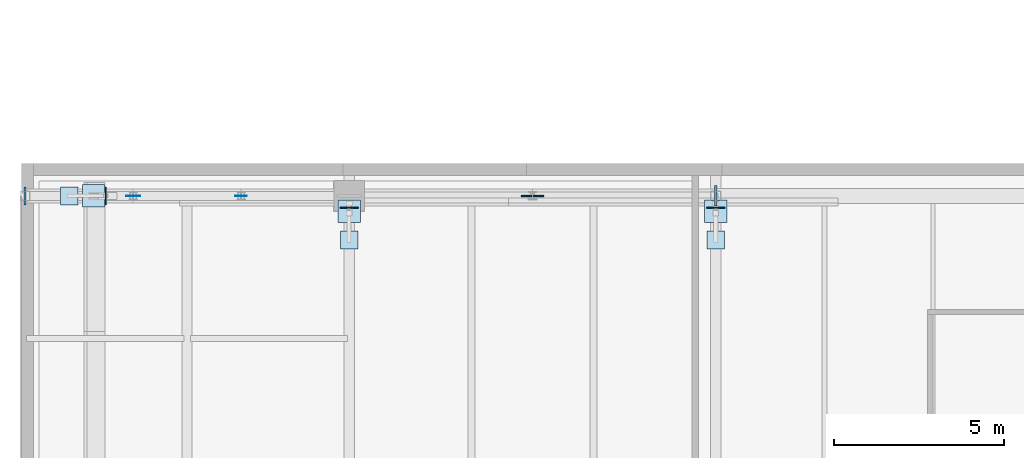
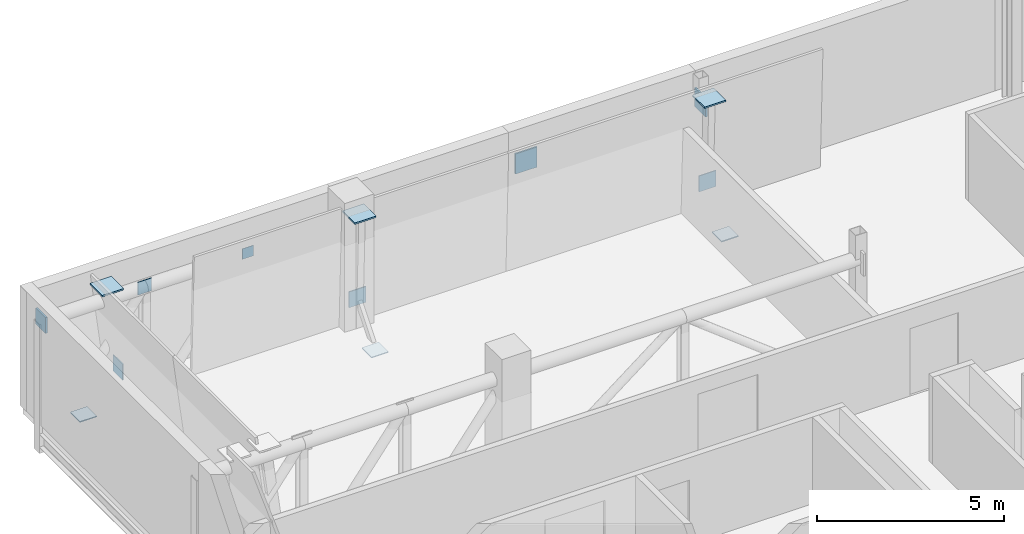
# One storey, part 67 of 89: 14 plates.
"""IFC4 building model written with IfcOpenShell, lengths in metres."""

from ifc_helpers import new_model, si_unit, direction, frame, origin, origin_2d, place, context, subcontext, project, spatial, rectangle, extrude, material, layer, layer_set, type_object, element, save


model = new_model("IFC4")

# Units and contexts
model_context = context("Model", 3, precision=1e-05, world=origin(), true_north=direction((0.0, 1.0)))
body_context = subcontext(model_context, "Body", "Model", "MODEL_VIEW")
ifc_project = project(units=[si_unit("LENGTHUNIT", "METRE"), si_unit("AREAUNIT", "SQUARE_METRE"), si_unit("VOLUMEUNIT", "CUBIC_METRE"), si_unit("PLANEANGLEUNIT", "RADIAN"), si_unit("MASSUNIT", "GRAM", prefix="KILO")], contexts=[model_context])

# Site, building, storey
site_placement = place(None, origin())
site = spatial("IfcSite", under=ifc_project, at=site_placement, CompositionType="ELEMENT")
building_placement = place(site_placement, origin())
building = spatial("IfcBuilding", under=site, at=building_placement, Name="Zereglee Splitstone Museum", CompositionType="ELEMENT")
storey_placement = place(building_placement, frame((0.0, 0.0, 21.300048828125)))
storey = spatial("IfcBuildingStorey", under=building, at=storey_placement, Name="L04", CompositionType="ELEMENT", Elevation=21.300048828125)

# Plates
ifc_material = material(Name="Steel S355J2", Category="steel")
ifc_layer_1 = layer(ifc_material, 0.011962890625)
ifc_layer_set_1 = layer_set([ifc_layer_1], Name="Steel S355J2")
plate_type_1 = type_object("IfcPlateType", Name="NP-06", PredefinedType="SHEET", material=ifc_layer_set_1)
plate_1_placement = place(storey_placement, frame((6.416748046875, 30.0, 3.1298828125), z_axis=(0.0, 0.0, 1.0), x_axis=(1.0, 0.0, 0.0)))
element("IfcPlate", 1, at=plate_1_placement, inside=storey, type_object=plate_type_1, Name="Cantilever Truss Node Plate CN-04", PredefinedType="SHEET", context=body_context, shape_type="SweptSolid", body=[
    extrude(rectangle(XDim=0.340087890625, YDim=0.011962890625, at=origin_2d()), origin(), (0.0, 0.0, 1.0), 0.340087890625),
])
ifc_layer_2 = layer(ifc_material, 0.02001953125)
ifc_layer_set_2 = layer_set([ifc_layer_2], Name="Steel S355J2")
plate_type_2 = type_object("IfcPlateType", Name="NP-05", PredefinedType="SHEET", material=ifc_layer_set_2)
plate_2_placement = place(storey_placement, frame((3.2333984375, 30.0, 3.090087890625), z_axis=(0.0, 0.0, 1.0), x_axis=(1.0, 0.0, 0.0)))
element("IfcPlate", 2, at=plate_2_placement, inside=storey, type_object=plate_type_2, Name="Cantilever Truss Node Plate CN-04", PredefinedType="SHEET", context=body_context, shape_type="SweptSolid", body=[
    extrude(rectangle(XDim=0.419921875, YDim=0.02001953125, at=origin_2d()), origin(), (0.0, 0.0, 1.0), 0.419921875),
])
ifc_layer_3 = layer(ifc_material, 0.030029296875)
ifc_layer_set_3 = layer_set([ifc_layer_3], Name="Steel S355J2")
plate_type_3 = type_object("IfcPlateType", Name="NP-04", PredefinedType="SHEET", material=ifc_layer_set_3)
plate_3_placement = place(storey_placement, frame((0.050048828125, 30.0, 3.0400390625), z_axis=(0.0, 0.0, 1.0), x_axis=(1.0, 0.0, 0.0)))
element("IfcPlate", 3, at=plate_3_placement, inside=storey, type_object=plate_type_3, Name="Cantilever Truss Node Plate CN-04", PredefinedType="SHEET", context=body_context, shape_type="SweptSolid", body=[
    extrude(rectangle(XDim=0.06005859375, YDim=0.52001953125, at=origin_2d()), origin(), (0.0, 0.0, 1.0), 0.52001953125),
])
plate_4_placement = place(storey_placement, frame((1.35009765625, 30.0, -0.23486328125), z_axis=(0.0, 0.0, 1.0), x_axis=(1.0, 0.0, 0.0)))
element("IfcPlate", 4, at=plate_4_placement, inside=storey, type_object=plate_type_3, Name="Facet Tie Seal Plate FH-V1W-N", PredefinedType="SHEET", context=body_context, shape_type="SweptSolid", body=[
    extrude(rectangle(XDim=0.52001953125, YDim=0.52001953125, at=origin_2d()), origin(), (0.0, 0.0, 1.0), 0.030029296875),
])
plate_5_placement = place(storey_placement, frame((2.423095703125, 30.0, 0.679931640625), z_axis=(0.0, 0.0, 1.0), x_axis=(1.0, 0.0, 0.0)))
element("IfcPlate", 5, at=plate_5_placement, inside=storey, type_object=plate_type_3, Name="Facet Tie Seal Plate FH-V1W-N", PredefinedType="SHEET", context=body_context, shape_type="SweptSolid", body=[
    extrude(rectangle(XDim=0.030029296875, YDim=0.52001953125, at=origin_2d()), origin(), (0.0, 0.0, 1.0), 0.52001953125),
])
plate_6_placement = place(storey_placement, frame((9.60009765625, 28.699951171875, -0.23486328125), z_axis=(0.0, 0.0, 1.0), x_axis=(1.0, 0.0, 0.0)))
element("IfcPlate", 6, at=plate_6_placement, inside=storey, type_object=plate_type_3, Name="Facet Tie Seal Plate FH-V1N-W", PredefinedType="SHEET", context=body_context, shape_type="SweptSolid", body=[
    extrude(rectangle(XDim=0.52001953125, YDim=0.52001953125, at=origin_2d()), origin(), (0.0, 0.0, 1.0), 0.030029296875),
])
plate_7_placement = place(storey_placement, frame((9.60009765625, 29.65380859375, 0.679931640625), z_axis=(0.0, 0.0, 1.0), x_axis=(1.0, 0.0, 0.0)))
element("IfcPlate", 7, at=plate_7_placement, inside=storey, type_object=plate_type_3, Name="Facet Tie Seal Plate FH-V1N-W", PredefinedType="SHEET", context=body_context, shape_type="SweptSolid", body=[
    extrude(rectangle(XDim=0.52001953125, YDim=0.030029296875, at=origin_2d()), origin(), (0.0, 0.0, 1.0), 0.52001953125),
])
plate_8_placement = place(storey_placement, frame((20.39990234375, 28.699951171875, -0.23486328125), z_axis=(0.0, 0.0, 1.0), x_axis=(1.0, 0.0, 0.0)))
element("IfcPlate", 8, at=plate_8_placement, inside=storey, type_object=plate_type_3, Name="Facet Tie Seal Plate FH-V1N-W", PredefinedType="SHEET", context=body_context, shape_type="SweptSolid", body=[
    extrude(rectangle(XDim=0.52001953125, YDim=0.52001953125, at=origin_2d()), origin(), (0.0, 0.0, 1.0), 0.030029296875),
])
plate_9_placement = place(storey_placement, frame((20.39990234375, 29.65380859375, 0.679931640625), z_axis=(0.0, 0.0, 1.0), x_axis=(1.0, 0.0, 0.0)))
element("IfcPlate", 9, at=plate_9_placement, inside=storey, type_object=plate_type_3, Name="Facet Tie Seal Plate FH-V1N-W", PredefinedType="SHEET", context=body_context, shape_type="SweptSolid", body=[
    extrude(rectangle(XDim=0.52001953125, YDim=0.030029296875, at=origin_2d()), origin(), (0.0, 0.0, 1.0), 0.52001953125),
])
ifc_layer_4 = layer(ifc_material, 0.0400390625)
ifc_layer_set_4 = layer_set([ifc_layer_4], Name="Steel S355J2")
plate_type_4 = type_object("IfcPlateType", Name="NP-03", PredefinedType="SHEET", material=ifc_layer_set_4)
plate_10_placement = place(storey_placement, frame((20.39990234375, 30.0, 3.0), z_axis=(0.0, 0.0, 1.0), x_axis=(1.0, 0.0, 0.0)))
element("IfcPlate", 10, at=plate_10_placement, inside=storey, type_object=plate_type_4, Name="Cantilever Truss Node Plate CN-04", PredefinedType="SHEET", context=body_context, shape_type="SweptSolid", body=[
    extrude(rectangle(XDim=0.06005859375, YDim=0.60009765625, at=origin_2d()), origin(), (0.0, 0.0, 1.0), 0.60009765625),
])
ifc_layer_5 = layer(ifc_material, 0.050048828125)
ifc_layer_set_5 = layer_set([ifc_layer_5], Name="Steel S355J2")
plate_type_5 = type_object("IfcPlateType", Name="NP-02", PredefinedType="SHEET", material=ifc_layer_set_5)
plate_11_placement = place(storey_placement, frame((15.0, 30.0, 2.97021484375), z_axis=(0.0, 0.0, 1.0), x_axis=(1.0, 0.0, 0.0)))
element("IfcPlate", 11, at=plate_11_placement, inside=storey, type_object=plate_type_5, Name="Cantilever Truss Node Plate CN-04", PredefinedType="SHEET", context=body_context, shape_type="SweptSolid", body=[
    extrude(rectangle(XDim=0.659912109375, YDim=0.050048828125, at=origin_2d()), origin(), (0.0, 0.0, 1.0), 0.659912109375),
])
for number, where, z_axis, x_axis, name in (
    (12, (2.06591796875, 30.0, 3.6748046875), (0.0, 0.0, 1.0), (1.0, 0.0, 0.0), "Facet Strut Seal Plate FH-V1W-N"),
    (13, (9.60009765625, 29.55126953125, 3.6748046875), (0.0, 0.0, 1.0), (1.0, 0.0, 0.0), "Facet Strut Seal Plate FH-V1N-W"),
    (14, (20.39990234375, 29.55126953125, 3.6748046875), (0.0, 0.0, 1.0), (1.0, 0.0, 0.0), "Facet Strut Seal Plate FH-V1N-W"),
):
    element("IfcPlate", number, at=place(storey_placement, frame(where, z_axis=z_axis, x_axis=x_axis)), inside=storey, type_object=plate_type_5, Name=name, PredefinedType="SHEET", context=body_context, shape_type="SweptSolid", body=[
        extrude(rectangle(XDim=0.659912109375, YDim=0.659912109375, at=origin_2d()), origin(), (0.0, 0.0, 1.0), 0.050048828125),
    ])

save(model, "model.ifc")
